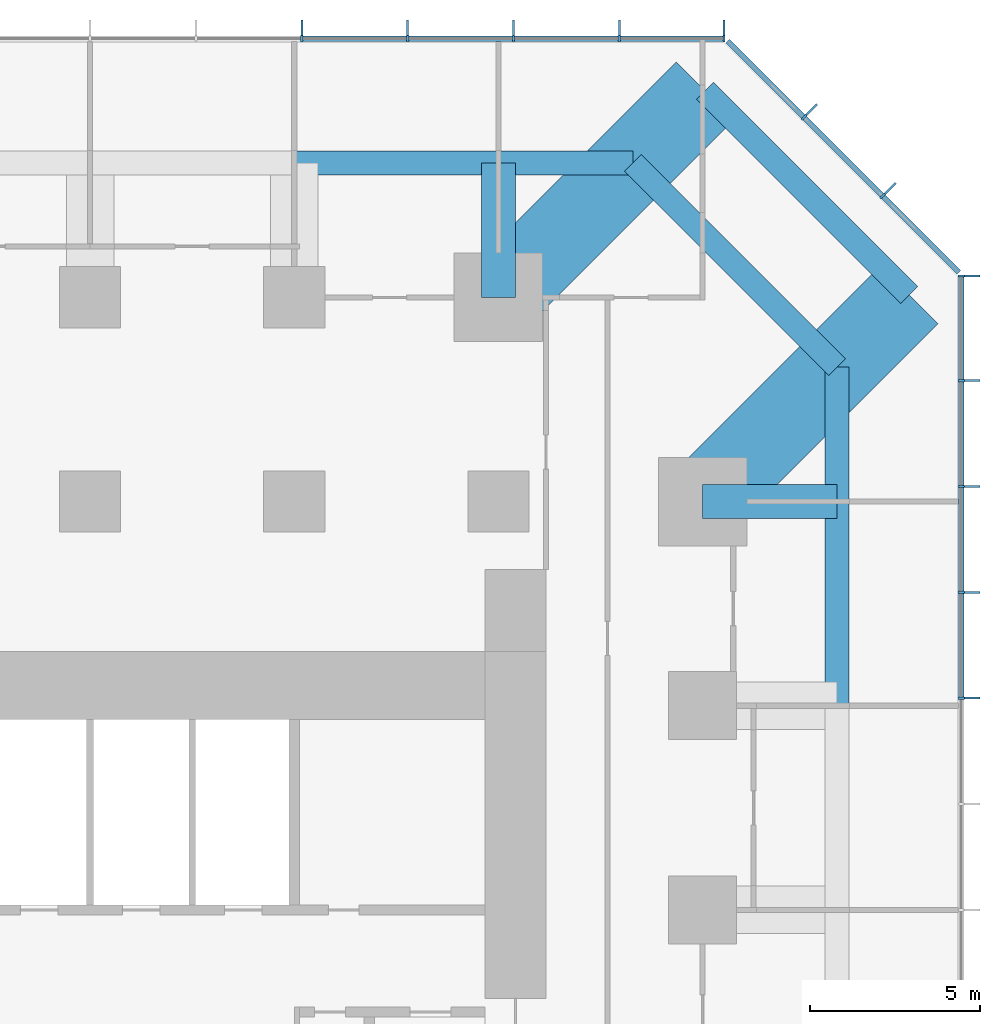
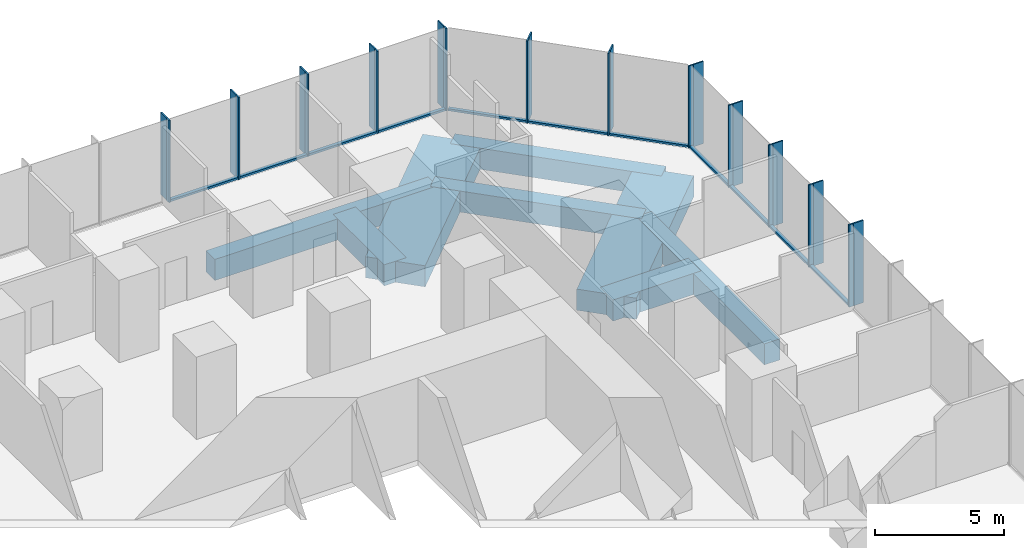
# One storey, part 6 of 12: 35 members, 8 beams, 3 elements without a shape of their own.
"""IFC4 building model written with IfcOpenShell, lengths in metres."""

from ifc_helpers import new_model, si_unit, direction, frame, origin, origin_2d, place, context, subcontext, project, spatial, rectangle, extrude, material, layer, layer_set, material_profile, profile_set, type_object, element, aggregate, save


model = new_model("IFC4")

# Units and contexts
model_context = context("Model", 3, precision=1e-05, world=origin(), true_north=direction((0.0, 1.0)))
body_context = subcontext(model_context, "Body", "Model", "MODEL_VIEW")
ifc_project = project(units=[si_unit("LENGTHUNIT", "METRE"), si_unit("AREAUNIT", "SQUARE_METRE"), si_unit("VOLUMEUNIT", "CUBIC_METRE"), si_unit("PLANEANGLEUNIT", "RADIAN"), si_unit("MASSUNIT", "GRAM", prefix="KILO")], contexts=[model_context])

# Site, building, storey
site_placement = place(None, origin())
site = spatial("IfcSite", under=ifc_project, at=site_placement, CompositionType="ELEMENT")
building_placement = place(site_placement, origin())
building = spatial("IfcBuilding", under=site, at=building_placement, Name="Highveld Stack Headquarters", CompositionType="ELEMENT")
storey_placement = place(building_placement, frame((0.0, 0.0, 76.699951171875)))
storey = spatial("IfcBuildingStorey", under=building, at=storey_placement, Name="L18", CompositionType="ELEMENT", Elevation=76.699951171875)

# Beams
ifc_material_1 = material(Name="Concrete C60/75", Category="concrete")
ifc_material_profile_1 = material_profile(ifc_material_1, rectangle(XDim=1.0, YDim=1.0, at=origin_2d()), Name="RC 1000x1000")
ifc_profile_set_1 = profile_set([ifc_material_profile_1], Name="Concrete C60/75")
beam_type_1 = type_object("IfcBeamType", Name="CANTILEVER RIB RC 1000x1000", PredefinedType="USERDEFINED", material=ifc_profile_set_1)
for number, where, z_axis, x_axis, name in (
    (1, (18.0, 24.0, -0.75), (0.0, 1.0, 0.0), (-1.0, 0.0, 0.0), "Cantilever rib 9/J L18"),
    (2, (24.0, 18.0, -0.75), (1.0, 0.0, 0.0), (0.0, 1.0, 0.0), "Cantilever rib 10/H L18"),
):
    element("IfcBeam", number, at=place(storey_placement, frame(where, z_axis=z_axis, x_axis=x_axis)), inside=storey, type_object=beam_type_1, Name=name, ObjectType="CANTILEVER RIB", PredefinedType="USERDEFINED", context=body_context, shape_type="SweptSolid", body=[
        extrude(rectangle(XDim=1.0, YDim=1.0, at=origin_2d()), origin(), (0.0, 0.0, 1.0), 3.949951171875),
    ])
ifc_material_2 = material(Name="Concrete C60/75", Category="concrete")
ifc_material_profile_2 = material_profile(ifc_material_2, rectangle(XDim=2.39990234375, YDim=1.0, at=origin_2d()), Name="RC 2400x1000")
ifc_profile_set_2 = profile_set([ifc_material_profile_2], Name="Concrete C60/75")
beam_type_2 = type_object("IfcBeamType", Name="CANTILEVER RIB RC 2400x1000", PredefinedType="USERDEFINED", material=ifc_profile_set_2)
for number, where, z_axis, x_axis, name in (
    (3, (18.0, 24.0, -0.75), (0.707106781187, 0.707106781187, 0.0), (-0.707106781187, 0.707106781187, 0.0), "Cantilever rib 9/J L18"),
    (4, (24.0, 18.0, -0.75), (0.707106781187, 0.707106781187, 0.0), (-0.707106781187, 0.707106781187, 0.0), "Cantilever rib 10/H L18"),
):
    element("IfcBeam", number, at=place(storey_placement, frame(where, z_axis=z_axis, x_axis=x_axis)), inside=storey, type_object=beam_type_2, Name=name, ObjectType="CANTILEVER RIB", PredefinedType="USERDEFINED", context=body_context, shape_type="SweptSolid", body=[
        extrude(rectangle(XDim=2.39990234375, YDim=1.0, at=origin_2d()), origin(), (0.0, 0.0, 1.0), 8.585693359375),
    ])

# Curtain wall, members
ifc_material_3 = material(Name="Aluminium bronze anodised", Category="aluminium")
ifc_layer_1 = layer(ifc_material_3, 0.199951171875)
ifc_layer_set_1 = layer_set([ifc_layer_1], Name="Aluminium bronze anodised")
curtain_wall_type_1 = type_object("IfcCurtainWallType", Name="CW1 TOWER UNITISED CURTAIN WALL", PredefinedType="NOTDEFINED", material=ifc_layer_set_1)
curtain_wall_1_placement = place(storey_placement, origin())
curtain_wall_1 = element("IfcCurtainWall", 5, at=curtain_wall_1_placement, inside=storey, type_object=curtain_wall_type_1, Name="Curtain wall CW1 L18 E", PredefinedType="NOTDEFINED")
ifc_material_4 = material(Name="Aluminium bronze anodised", Category="aluminium")
ifc_material_profile_3 = material_profile(ifc_material_4, rectangle(XDim=0.449951171875, YDim=0.06005859375, at=origin_2d()), Name="FIN 450x60")
ifc_profile_set_3 = profile_set([ifc_material_profile_3], Name="Aluminium bronze anodised")
member_type_1 = type_object("IfcMemberType", Name="CW1 BRONZE FIN 450x60", PredefinedType="USERDEFINED", material=ifc_profile_set_3)
member_1_placement = place(storey_placement, frame((31.925048828125, 12.220947265625, 0.0), z_axis=(0.0, 0.0, 1.0), x_axis=(-1.0, 0.0, 0.0)))
member_1 = element("IfcMember", 6, at=member_1_placement, type_object=member_type_1, Name="CW1 fin L18 9", ObjectType="FIN", PredefinedType="USERDEFINED", context=body_context, shape_type="SweptSolid", body=[
    extrude(rectangle(XDim=0.449951171875, YDim=0.06005859375, at=origin_2d()), origin(), (0.0, 0.0, 1.0), 3.900146484375),
])
member_2_placement = place(storey_placement, frame((31.925048828125, 15.331298828125, 0.0), z_axis=(0.0, 0.0, 1.0), x_axis=(-1.0, 0.0, 0.0)))
member_2 = element("IfcMember", 7, at=member_2_placement, type_object=member_type_1, Name="CW1 fin L18 10", ObjectType="FIN", PredefinedType="USERDEFINED", context=body_context, shape_type="SweptSolid", body=[
    extrude(rectangle(XDim=0.449951171875, YDim=0.06005859375, at=origin_2d()), origin(), (0.0, 0.0, 1.0), 3.900146484375),
])
member_3_placement = place(storey_placement, frame((31.925048828125, 18.44189453125, 0.0), z_axis=(0.0, 0.0, 1.0), x_axis=(-1.0, 0.0, 0.0)))
member_3 = element("IfcMember", 8, at=member_3_placement, type_object=member_type_1, Name="CW1 fin L18 11", ObjectType="FIN", PredefinedType="USERDEFINED", context=body_context, shape_type="SweptSolid", body=[
    extrude(rectangle(XDim=0.449951171875, YDim=0.06005859375, at=origin_2d()), origin(), (0.0, 0.0, 1.0), 3.900146484375),
])
member_4_placement = place(storey_placement, frame((31.925048828125, 21.55224609375, 0.0), z_axis=(0.0, 0.0, 1.0), x_axis=(-1.0, 0.0, 0.0)))
member_4 = element("IfcMember", 9, at=member_4_placement, type_object=member_type_1, Name="CW1 fin L18 12", ObjectType="FIN", PredefinedType="USERDEFINED", context=body_context, shape_type="SweptSolid", body=[
    extrude(rectangle(XDim=0.449951171875, YDim=0.06005859375, at=origin_2d()), origin(), (0.0, 0.0, 1.0), 3.900146484375),
])
member_5_placement = place(storey_placement, frame((31.925048828125, 24.630126953125, 0.0), z_axis=(0.0, 0.0, 1.0), x_axis=(-1.0, 0.0, 0.0)))
member_5 = element("IfcMember", 10, at=member_5_placement, type_object=member_type_1, Name="CW1 fin L18 13", ObjectType="FIN", PredefinedType="USERDEFINED", context=body_context, shape_type="SweptSolid", body=[
    extrude(rectangle(XDim=0.449951171875, YDim=0.06005859375, at=origin_2d()), origin(), (0.0, 0.0, 1.0), 3.900146484375),
])

curtain_wall_2_placement = place(storey_placement, origin())
curtain_wall_2 = element("IfcCurtainWall", 11, at=curtain_wall_2_placement, inside=storey, type_object=curtain_wall_type_1, Name="Curtain wall CW1 L18 N", PredefinedType="NOTDEFINED")
member_6_placement = place(storey_placement, frame((24.630126953125, 31.925048828125, 0.0), z_axis=(0.0, 0.0, 1.0), x_axis=(0.0, -1.0, 0.0)))
member_6 = element("IfcMember", 12, at=member_6_placement, type_object=member_type_1, Name="CW1 fin L18 1", ObjectType="FIN", PredefinedType="USERDEFINED", context=body_context, shape_type="SweptSolid", body=[
    extrude(rectangle(XDim=0.449951171875, YDim=0.06005859375, at=origin_2d()), origin(), (0.0, 0.0, 1.0), 3.900146484375),
])
member_7_placement = place(storey_placement, frame((21.55224609375, 31.925048828125, 0.0), z_axis=(0.0, 0.0, 1.0), x_axis=(0.0, -1.0, 0.0)))
member_7 = element("IfcMember", 13, at=member_7_placement, type_object=member_type_1, Name="CW1 fin L18 2", ObjectType="FIN", PredefinedType="USERDEFINED", context=body_context, shape_type="SweptSolid", body=[
    extrude(rectangle(XDim=0.449951171875, YDim=0.06005859375, at=origin_2d()), origin(), (0.0, 0.0, 1.0), 3.900146484375),
])
member_8_placement = place(storey_placement, frame((18.44189453125, 31.925048828125, 0.0), z_axis=(0.0, 0.0, 1.0), x_axis=(0.0, -1.0, 0.0)))
member_8 = element("IfcMember", 14, at=member_8_placement, type_object=member_type_1, Name="CW1 fin L18 3", ObjectType="FIN", PredefinedType="USERDEFINED", context=body_context, shape_type="SweptSolid", body=[
    extrude(rectangle(XDim=0.449951171875, YDim=0.06005859375, at=origin_2d()), origin(), (0.0, 0.0, 1.0), 3.900146484375),
])
member_9_placement = place(storey_placement, frame((15.331298828125, 31.925048828125, 0.0), z_axis=(0.0, 0.0, 1.0), x_axis=(0.0, -1.0, 0.0)))
member_9 = element("IfcMember", 15, at=member_9_placement, type_object=member_type_1, Name="CW1 fin L18 4", ObjectType="FIN", PredefinedType="USERDEFINED", context=body_context, shape_type="SweptSolid", body=[
    extrude(rectangle(XDim=0.449951171875, YDim=0.06005859375, at=origin_2d()), origin(), (0.0, 0.0, 1.0), 3.900146484375),
])
member_10_placement = place(storey_placement, frame((12.220947265625, 31.925048828125, 0.0), z_axis=(0.0, 0.0, 1.0), x_axis=(0.0, -1.0, 0.0)))
member_10 = element("IfcMember", 16, at=member_10_placement, type_object=member_type_1, Name="CW1 fin L18 5", ObjectType="FIN", PredefinedType="USERDEFINED", context=body_context, shape_type="SweptSolid", body=[
    extrude(rectangle(XDim=0.449951171875, YDim=0.06005859375, at=origin_2d()), origin(), (0.0, 0.0, 1.0), 3.900146484375),
])

# Member
ifc_material_5 = material(Name="Aluminium bronze anodised", Category="aluminium")
ifc_material_profile_4 = material_profile(ifc_material_5, rectangle(XDim=0.199951171875, YDim=0.06494140625, at=origin_2d()), Name="CW1 MULLION 65x200")
ifc_profile_set_4 = profile_set([ifc_material_profile_4], Name="Aluminium bronze anodised")
member_type_2 = type_object("IfcMemberType", Name="CW1 MULLION 65x200", PredefinedType="MULLION", material=ifc_profile_set_4)
member_11_placement = place(storey_placement, frame((31.60009765625, 12.220947265625, 0.0), z_axis=(0.0, 0.0, 1.0), x_axis=(-1.0, 0.0, 0.0)))
member_11 = element("IfcMember", 17, at=member_11_placement, type_object=member_type_2, Name="CW1 mullion L18 9", PredefinedType="MULLION", context=body_context, shape_type="SweptSolid", body=[
    extrude(rectangle(XDim=0.199951171875, YDim=0.06494140625, at=origin_2d()), origin(), (0.0, 0.0, 1.0), 3.900146484375),
])

member_12_placement = place(storey_placement, frame((31.60009765625, 15.331298828125, 0.0), z_axis=(0.0, 0.0, 1.0), x_axis=(-1.0, 0.0, 0.0)))
member_12 = element("IfcMember", 18, at=member_12_placement, type_object=member_type_2, Name="CW1 mullion L18 10", PredefinedType="MULLION", context=body_context, shape_type="SweptSolid", body=[
    extrude(rectangle(XDim=0.199951171875, YDim=0.06494140625, at=origin_2d()), origin(), (0.0, 0.0, 1.0), 3.900146484375),
])

member_13_placement = place(storey_placement, frame((31.60009765625, 18.44189453125, 0.0), z_axis=(0.0, 0.0, 1.0), x_axis=(-1.0, 0.0, 0.0)))
member_13 = element("IfcMember", 19, at=member_13_placement, type_object=member_type_2, Name="CW1 mullion L18 11", PredefinedType="MULLION", context=body_context, shape_type="SweptSolid", body=[
    extrude(rectangle(XDim=0.199951171875, YDim=0.06494140625, at=origin_2d()), origin(), (0.0, 0.0, 1.0), 3.900146484375),
])

member_14_placement = place(storey_placement, frame((31.60009765625, 21.55224609375, 0.0), z_axis=(0.0, 0.0, 1.0), x_axis=(-1.0, 0.0, 0.0)))
member_14 = element("IfcMember", 20, at=member_14_placement, type_object=member_type_2, Name="CW1 mullion L18 12", PredefinedType="MULLION", context=body_context, shape_type="SweptSolid", body=[
    extrude(rectangle(XDim=0.199951171875, YDim=0.06494140625, at=origin_2d()), origin(), (0.0, 0.0, 1.0), 3.900146484375),
])

member_15_placement = place(storey_placement, frame((31.60009765625, 24.630126953125, 0.0), z_axis=(0.0, 0.0, 1.0), x_axis=(-1.0, 0.0, 0.0)))
member_15 = element("IfcMember", 21, at=member_15_placement, type_object=member_type_2, Name="CW1 mullion L18 13", PredefinedType="MULLION", context=body_context, shape_type="SweptSolid", body=[
    extrude(rectangle(XDim=0.199951171875, YDim=0.06494140625, at=origin_2d()), origin(), (0.0, 0.0, 1.0), 3.900146484375),
])

member_16_placement = place(storey_placement, frame((24.630126953125, 31.60009765625, 0.0), z_axis=(0.0, 0.0, 1.0), x_axis=(0.0, -1.0, 0.0)))
member_16 = element("IfcMember", 22, at=member_16_placement, type_object=member_type_2, Name="CW1 mullion L18 1", PredefinedType="MULLION", context=body_context, shape_type="SweptSolid", body=[
    extrude(rectangle(XDim=0.199951171875, YDim=0.06494140625, at=origin_2d()), origin(), (0.0, 0.0, 1.0), 3.900146484375),
])

member_17_placement = place(storey_placement, frame((21.55224609375, 31.60009765625, 0.0), z_axis=(0.0, 0.0, 1.0), x_axis=(0.0, -1.0, 0.0)))
member_17 = element("IfcMember", 23, at=member_17_placement, type_object=member_type_2, Name="CW1 mullion L18 2", PredefinedType="MULLION", context=body_context, shape_type="SweptSolid", body=[
    extrude(rectangle(XDim=0.199951171875, YDim=0.06494140625, at=origin_2d()), origin(), (0.0, 0.0, 1.0), 3.900146484375),
])

member_18_placement = place(storey_placement, frame((18.44189453125, 31.60009765625, 0.0), z_axis=(0.0, 0.0, 1.0), x_axis=(0.0, -1.0, 0.0)))
member_18 = element("IfcMember", 24, at=member_18_placement, type_object=member_type_2, Name="CW1 mullion L18 3", PredefinedType="MULLION", context=body_context, shape_type="SweptSolid", body=[
    extrude(rectangle(XDim=0.199951171875, YDim=0.06494140625, at=origin_2d()), origin(), (0.0, 0.0, 1.0), 3.900146484375),
])

member_19_placement = place(storey_placement, frame((15.331298828125, 31.60009765625, 0.0), z_axis=(0.0, 0.0, 1.0), x_axis=(0.0, -1.0, 0.0)))
member_19 = element("IfcMember", 25, at=member_19_placement, type_object=member_type_2, Name="CW1 mullion L18 4", PredefinedType="MULLION", context=body_context, shape_type="SweptSolid", body=[
    extrude(rectangle(XDim=0.199951171875, YDim=0.06494140625, at=origin_2d()), origin(), (0.0, 0.0, 1.0), 3.900146484375),
])

member_20_placement = place(storey_placement, frame((12.220947265625, 31.60009765625, 0.0), z_axis=(0.0, 0.0, 1.0), x_axis=(0.0, -1.0, 0.0)))
member_20 = element("IfcMember", 26, at=member_20_placement, type_object=member_type_2, Name="CW1 mullion L18 5", PredefinedType="MULLION", context=body_context, shape_type="SweptSolid", body=[
    extrude(rectangle(XDim=0.199951171875, YDim=0.06494140625, at=origin_2d()), origin(), (0.0, 0.0, 1.0), 3.900146484375),
])

ifc_material_6 = material(Name="Aluminium bronze anodised", Category="aluminium")
ifc_material_profile_5 = material_profile(ifc_material_6, rectangle(XDim=0.14990234375, YDim=0.10009765625, at=origin_2d()), Name="CW1 TRANSOM 150x100")
ifc_profile_set_5 = profile_set([ifc_material_profile_5], Name="Aluminium bronze anodised")
member_type_3 = type_object("IfcMemberType", Name="CW1 STACK TRANSOM 150x100", PredefinedType="USERDEFINED", material=ifc_profile_set_5)
member_21_placement = place(storey_placement, frame((31.60009765625, 12.25341796875, 0.050048828125), z_axis=(0.0, 1.0, 0.0), x_axis=(-1.0, 0.0, 0.0)))
member_21 = element("IfcMember", 27, at=member_21_placement, type_object=member_type_3, Name="CW1 transom L18 9.1", ObjectType="TRANSOM", PredefinedType="USERDEFINED", context=body_context, shape_type="SweptSolid", body=[
    extrude(rectangle(XDim=0.14990234375, YDim=0.10009765625, at=origin_2d()), origin(), (0.0, 0.0, 1.0), 3.04541015625),
])

member_22_placement = place(storey_placement, frame((31.60009765625, 15.364013671875, 0.050048828125), z_axis=(0.0, 1.0, 0.0), x_axis=(-1.0, 0.0, 0.0)))
member_22 = element("IfcMember", 28, at=member_22_placement, type_object=member_type_3, Name="CW1 transom L18 10.1", ObjectType="TRANSOM", PredefinedType="USERDEFINED", context=body_context, shape_type="SweptSolid", body=[
    extrude(rectangle(XDim=0.14990234375, YDim=0.10009765625, at=origin_2d()), origin(), (0.0, 0.0, 1.0), 3.045166015625),
])

member_23_placement = place(storey_placement, frame((31.60009765625, 18.474365234375, 0.050048828125), z_axis=(0.0, 1.0, 0.0), x_axis=(-1.0, 0.0, 0.0)))
member_23 = element("IfcMember", 29, at=member_23_placement, type_object=member_type_3, Name="CW1 transom L18 11.1", ObjectType="TRANSOM", PredefinedType="USERDEFINED", context=body_context, shape_type="SweptSolid", body=[
    extrude(rectangle(XDim=0.14990234375, YDim=0.10009765625, at=origin_2d()), origin(), (0.0, 0.0, 1.0), 3.04541015625),
])

member_24_placement = place(storey_placement, frame((31.60009765625, 21.584716796875, 0.050048828125), z_axis=(0.0, 1.0, 0.0), x_axis=(-1.0, 0.0, 0.0)))
member_24 = element("IfcMember", 30, at=member_24_placement, type_object=member_type_3, Name="CW1 transom L18 12.1", ObjectType="TRANSOM", PredefinedType="USERDEFINED", context=body_context, shape_type="SweptSolid", body=[
    extrude(rectangle(XDim=0.14990234375, YDim=0.10009765625, at=origin_2d()), origin(), (0.0, 0.0, 1.0), 3.012939453125),
])

aggregate(curtain_wall_1, [member_11, member_1, member_12, member_2, member_13, member_3, member_14, member_4, member_15, member_5, member_21, member_22, member_23, member_24])

member_25_placement = place(storey_placement, frame((24.59765625, 31.60009765625, 0.050048828125), z_axis=(-1.0, 0.0, 0.0), x_axis=(0.0, -1.0, 0.0)))
member_25 = element("IfcMember", 31, at=member_25_placement, type_object=member_type_3, Name="CW1 transom L18 1.1", ObjectType="TRANSOM", PredefinedType="USERDEFINED", context=body_context, shape_type="SweptSolid", body=[
    extrude(rectangle(XDim=0.14990234375, YDim=0.10009765625, at=origin_2d()), origin(), (0.0, 0.0, 1.0), 3.012939453125),
])

member_26_placement = place(storey_placement, frame((21.519775390625, 31.60009765625, 0.050048828125), z_axis=(-1.0, 0.0, 0.0), x_axis=(0.0, -1.0, 0.0)))
member_26 = element("IfcMember", 32, at=member_26_placement, type_object=member_type_3, Name="CW1 transom L18 2.1", ObjectType="TRANSOM", PredefinedType="USERDEFINED", context=body_context, shape_type="SweptSolid", body=[
    extrude(rectangle(XDim=0.14990234375, YDim=0.10009765625, at=origin_2d()), origin(), (0.0, 0.0, 1.0), 3.04541015625),
])

member_27_placement = place(storey_placement, frame((18.4091796875, 31.60009765625, 0.050048828125), z_axis=(-1.0, 0.0, 0.0), x_axis=(0.0, -1.0, 0.0)))
member_27 = element("IfcMember", 33, at=member_27_placement, type_object=member_type_3, Name="CW1 transom L18 3.1", ObjectType="TRANSOM", PredefinedType="USERDEFINED", context=body_context, shape_type="SweptSolid", body=[
    extrude(rectangle(XDim=0.14990234375, YDim=0.10009765625, at=origin_2d()), origin(), (0.0, 0.0, 1.0), 3.045166015625),
])

member_28_placement = place(storey_placement, frame((15.298828125, 31.60009765625, 0.050048828125), z_axis=(-1.0, 0.0, 0.0), x_axis=(0.0, -1.0, 0.0)))
member_28 = element("IfcMember", 34, at=member_28_placement, type_object=member_type_3, Name="CW1 transom L18 4.1", ObjectType="TRANSOM", PredefinedType="USERDEFINED", context=body_context, shape_type="SweptSolid", body=[
    extrude(rectangle(XDim=0.14990234375, YDim=0.10009765625, at=origin_2d()), origin(), (0.0, 0.0, 1.0), 3.04541015625),
])

aggregate(curtain_wall_2, [member_16, member_6, member_17, member_7, member_18, member_8, member_19, member_9, member_20, member_10, member_25, member_26, member_27, member_28])

# Curtain wall, members
ifc_material_7 = material(Name="Aluminium bronze anodised", Category="aluminium")
ifc_layer_2 = layer(ifc_material_7, 0.199951171875)
ifc_layer_set_2 = layer_set([ifc_layer_2], Name="Aluminium bronze anodised")
curtain_wall_type_2 = type_object("IfcCurtainWallType", Name="CW2 TOWER CHAMFER UNITISED CURTAIN WALL", PredefinedType="NOTDEFINED", material=ifc_layer_set_2)
curtain_wall_3_placement = place(storey_placement, origin())
curtain_wall_3 = element("IfcCurtainWall", 35, at=curtain_wall_3_placement, inside=storey, type_object=curtain_wall_type_2, Name="Curtain wall CW2 L18 NE", PredefinedType="NOTDEFINED")
ifc_material_8 = material(Name="Aluminium bronze anodised", Category="aluminium")
ifc_material_profile_6 = material_profile(ifc_material_8, rectangle(XDim=0.449951171875, YDim=0.06005859375, at=origin_2d()), Name="FIN 450x60")
ifc_profile_set_6 = profile_set([ifc_material_profile_6], Name="Aluminium bronze anodised")
member_type_4 = type_object("IfcMemberType", Name="CW2 BRONZE FIN 450x60", PredefinedType="USERDEFINED", material=ifc_profile_set_6)
member_29_placement = place(storey_placement, frame((29.517333984375, 27.204833984375, 0.0), z_axis=(0.0, 0.0, 1.0), x_axis=(-0.707106781187, -0.707106781187, 0.0)))
member_29 = element("IfcMember", 36, at=member_29_placement, type_object=member_type_4, Name="CW2 fin L18 1", ObjectType="FIN", PredefinedType="USERDEFINED", context=body_context, shape_type="SweptSolid", body=[
    extrude(rectangle(XDim=0.449951171875, YDim=0.06005859375, at=origin_2d()), origin(), (0.0, 0.0, 1.0), 3.900146484375),
])
member_30_placement = place(storey_placement, frame((27.204833984375, 29.517333984375, 0.0), z_axis=(0.0, 0.0, 1.0), x_axis=(-0.707106781187, -0.707106781187, 0.0)))
member_30 = element("IfcMember", 37, at=member_30_placement, type_object=member_type_4, Name="CW2 fin L18 2", ObjectType="FIN", PredefinedType="USERDEFINED", context=body_context, shape_type="SweptSolid", body=[
    extrude(rectangle(XDim=0.449951171875, YDim=0.06005859375, at=origin_2d()), origin(), (0.0, 0.0, 1.0), 3.900146484375),
])
ifc_material_9 = material(Name="Aluminium bronze anodised", Category="aluminium")
ifc_material_profile_7 = material_profile(ifc_material_9, rectangle(XDim=0.199951171875, YDim=0.06494140625, at=origin_2d()), Name="CW2 MULLION 65x200")
ifc_profile_set_7 = profile_set([ifc_material_profile_7], Name="Aluminium bronze anodised")
member_type_5 = type_object("IfcMemberType", Name="CW2 MULLION 65x200", PredefinedType="MULLION", material=ifc_profile_set_7)
member_31_placement = place(storey_placement, frame((29.28759765625, 26.97509765625, 0.0), z_axis=(0.0, 0.0, 1.0), x_axis=(-0.707106781187, -0.707106781187, 0.0)))
member_31 = element("IfcMember", 38, at=member_31_placement, type_object=member_type_5, Name="CW2 mullion L18 1", PredefinedType="MULLION", context=body_context, shape_type="SweptSolid", body=[
    extrude(rectangle(XDim=0.199951171875, YDim=0.06494140625, at=origin_2d()), origin(), (0.0, 0.0, 1.0), 3.900146484375),
])
member_32_placement = place(storey_placement, frame((26.97509765625, 29.28759765625, 0.0), z_axis=(0.0, 0.0, 1.0), x_axis=(-0.707106781187, -0.707106781187, 0.0)))
member_32 = element("IfcMember", 39, at=member_32_placement, type_object=member_type_5, Name="CW2 mullion L18 2", PredefinedType="MULLION", context=body_context, shape_type="SweptSolid", body=[
    extrude(rectangle(XDim=0.199951171875, YDim=0.06494140625, at=origin_2d()), origin(), (0.0, 0.0, 1.0), 3.900146484375),
])
ifc_material_10 = material(Name="Aluminium bronze anodised", Category="aluminium")
ifc_material_profile_8 = material_profile(ifc_material_10, rectangle(XDim=0.14990234375, YDim=0.10009765625, at=origin_2d()), Name="CW2 TRANSOM 150x100")
ifc_profile_set_8 = profile_set([ifc_material_profile_8], Name="Aluminium bronze anodised")
member_type_6 = type_object("IfcMemberType", Name="CW2 STACK TRANSOM 150x100", PredefinedType="USERDEFINED", material=ifc_profile_set_8)
member_33_placement = place(storey_placement, frame((31.529296875, 24.7333984375, 0.050048828125), z_axis=(-0.707106781187, 0.707106781187, 0.0), x_axis=(-0.707106781187, -0.707106781187, 0.0)))
member_33 = element("IfcMember", 40, at=member_33_placement, type_object=member_type_6, Name="CW2 transom L18 1.1", ObjectType="TRANSOM", PredefinedType="USERDEFINED", context=body_context, shape_type="SweptSolid", body=[
    extrude(rectangle(XDim=0.14990234375, YDim=0.10009765625, at=origin_2d()), origin(), (0.0, 0.0, 1.0), 3.1376953125),
])
member_34_placement = place(storey_placement, frame((29.2646484375, 26.998046875, 0.050048828125), z_axis=(-0.707106781187, 0.707106781187, 0.0), x_axis=(-0.707106781187, -0.707106781187, 0.0)))
member_34 = element("IfcMember", 41, at=member_34_placement, type_object=member_type_6, Name="CW2 transom L18 2.1", ObjectType="TRANSOM", PredefinedType="USERDEFINED", context=body_context, shape_type="SweptSolid", body=[
    extrude(rectangle(XDim=0.14990234375, YDim=0.10009765625, at=origin_2d()), origin(), (0.0, 0.0, 1.0), 3.20556640625),
])
member_35_placement = place(storey_placement, frame((26.9521484375, 29.310546875, 0.050048828125), z_axis=(-0.707106781187, 0.707106781187, 0.0), x_axis=(-0.707106781187, -0.707106781187, 0.0)))
member_35 = element("IfcMember", 42, at=member_35_placement, type_object=member_type_6, Name="CW2 transom L18 3.1", ObjectType="TRANSOM", PredefinedType="USERDEFINED", context=body_context, shape_type="SweptSolid", body=[
    extrude(rectangle(XDim=0.14990234375, YDim=0.10009765625, at=origin_2d()), origin(), (0.0, 0.0, 1.0), 3.1376953125),
])
aggregate(curtain_wall_3, [member_31, member_29, member_32, member_30, member_33, member_34, member_35])

# Beams
ifc_material_11 = material(Name="Concrete C60/75", Category="concrete")
ifc_material_profile_9 = material_profile(ifc_material_11, rectangle(XDim=0.699951171875, YDim=1.0, at=origin_2d()), Name="RC 700x1000")
ifc_profile_set_9 = profile_set([ifc_material_profile_9], Name="Concrete C60/75")
beam_type_3 = type_object("IfcBeamType", Name="RIB TIP BEAM RC 700x1000", PredefinedType="SPANDREL", material=ifc_profile_set_9)
for number, where, z_axis, x_axis, name in (
    (43, (27.949951171875, 12.0, -0.75), (0.0, 1.0, 0.0), (-1.0, 0.0, 0.0), "Rib tip beam 10/G to 10/H L18"),
    (44, (12.0, 27.949951171875, -0.75), (1.0, 0.0, 0.0), (0.0, 1.0, 0.0), "Rib tip beam 8/J to 9/J L18"),
):
    element("IfcBeam", number, at=place(storey_placement, frame(where, z_axis=z_axis, x_axis=x_axis)), inside=storey, type_object=beam_type_3, Name=name, PredefinedType="SPANDREL", context=body_context, shape_type="SweptSolid", body=[
        extrude(rectangle(XDim=0.699951171875, YDim=1.0, at=origin_2d()), origin(), (0.0, 0.0, 1.0), 9.949951171875),
    ])
for number, where, z_axis, x_axis, name in (
    (45, (21.949951171875, 27.949951171875, -0.75), (0.707106781187, -0.707106781187, 0.0), (0.707106781187, 0.707106781187, 0.0), "Rib tip beam 9/J to 10/H chamfer L18"),
    (46, (24.071044921875, 30.071044921875, -0.75), (0.707106781187, -0.707106781187, 0.0), (0.707106781187, 0.707106781187, 0.0), "Rib tip beam 9/J to 10/H chamfer edge L18"),
):
    element("IfcBeam", number, at=place(storey_placement, frame(where, z_axis=z_axis, x_axis=x_axis)), inside=storey, type_object=beam_type_3, Name=name, PredefinedType="SPANDREL", context=body_context, shape_type="SweptSolid", body=[
        extrude(rectangle(XDim=0.699951171875, YDim=1.0, at=origin_2d()), origin(), (0.0, 0.0, 1.0), 8.4853515625),
    ])

save(model, "model.ifc")
